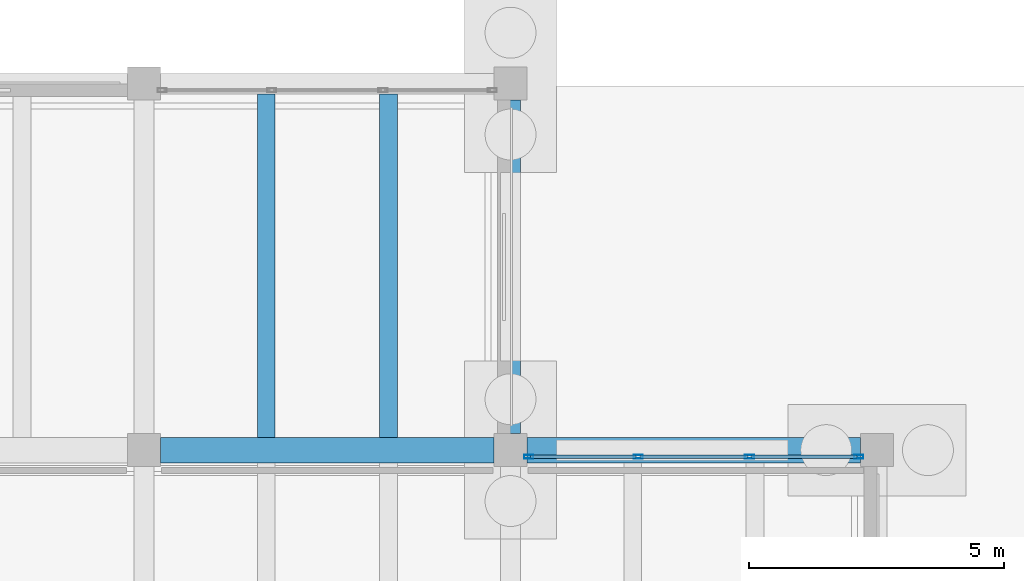
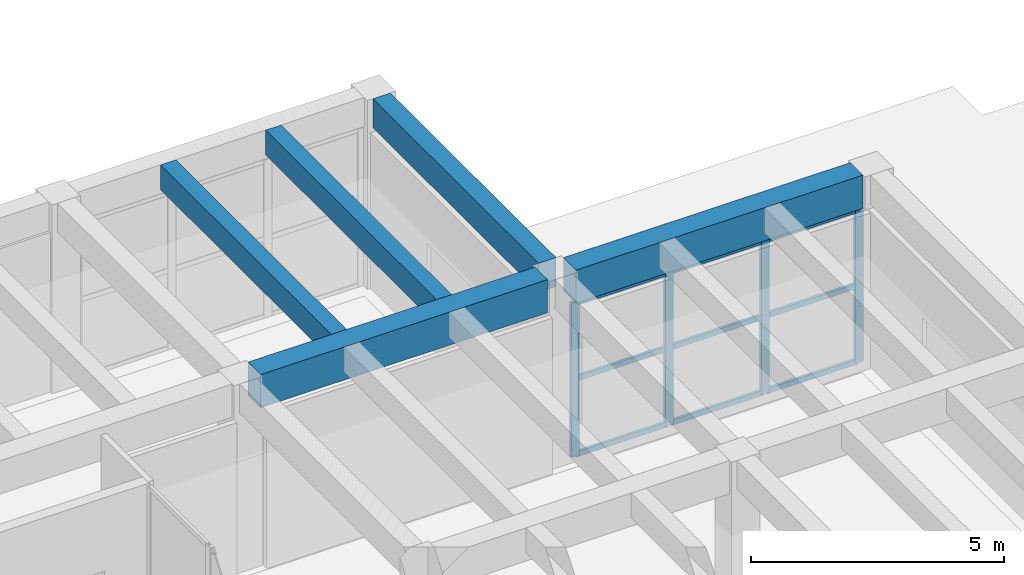
# One storey, part 82 of 155: 13 members, 5 beams, 1 element without a shape of its own.
"""IFC4 building model written with IfcOpenShell, lengths in metres."""

from ifc_helpers import new_model, si_unit, direction, frame, origin, origin_2d, place, context, subcontext, project, spatial, rectangle, hollow_rectangle, extrude, material, material_profile, profile_set, type_object, element, aggregate, save


model = new_model("IFC4")

# Units and contexts
model_context = context("Model", 3, precision=1e-05, world=origin(), true_north=direction((0.0, 1.0)))
body_context = subcontext(model_context, "Body", "Model", "MODEL_VIEW")
ifc_project = project(units=[si_unit("LENGTHUNIT", "METRE"), si_unit("AREAUNIT", "SQUARE_METRE"), si_unit("VOLUMEUNIT", "CUBIC_METRE"), si_unit("PLANEANGLEUNIT", "RADIAN"), si_unit("MASSUNIT", "GRAM", prefix="KILO")], contexts=[model_context])

# Site, building, storey
site_placement = place(None, origin())
site = spatial("IfcSite", under=ifc_project, at=site_placement, CompositionType="ELEMENT")
building_placement = place(site_placement, origin())
building = spatial("IfcBuilding", under=site, at=building_placement, Name="Bramvelor Terrace Health Centre", CompositionType="ELEMENT")
storey_placement = place(building_placement, origin())
storey = spatial("IfcBuildingStorey", under=building, at=storey_placement, Name="L01", CompositionType="ELEMENT", Elevation=0.0)

# Beams
ifc_material_1 = material(Name="Concrete C40/50", Category="concrete")
ifc_material_profile_1 = material_profile(ifc_material_1, rectangle(XDim=0.39990234375, YDim=0.699951171875, at=origin_2d()), Name="RC 400x700")
ifc_profile_set_1 = profile_set([ifc_material_profile_1], Name="Concrete C40/50")
beam_type_1 = type_object("IfcBeamType", Name="BM-RC-G700", PredefinedType="BEAM", material=ifc_profile_set_1)
beam_placement = place(storey_placement, frame((36.0, 108.324951171875, 4.2099609375), z_axis=(0.0, 1.0, 0.0), x_axis=(-1.0, 0.0, 0.0)))
element("IfcBeam", 1, at=beam_placement, inside=storey, type_object=beam_type_1, Name="L01 Floor Girder", PredefinedType="BEAM", context=body_context, shape_type="SweptSolid", body=[
    extrude(rectangle(XDim=0.39990234375, YDim=0.699951171875, at=origin_2d()), origin(), (0.0, 0.0, 1.0), 6.550048828125),
])
ifc_material_2 = material(Name="Concrete C40/50", Category="concrete")
ifc_material_profile_2 = material_profile(ifc_material_2, rectangle(XDim=0.5, YDim=0.800048828125, at=origin_2d()), Name="RC 500x800")
ifc_profile_set_2 = profile_set([ifc_material_profile_2], Name="Concrete C40/50")
beam_type_2 = type_object("IfcBeamType", Name="BM-RC-G800", PredefinedType="BEAM", material=ifc_profile_set_2)
for number, where, z_axis, x_axis, name in (
    (2, (29.125, 108.0, 4.159912109375), (1.0, 0.0, 0.0), (0.0, 1.0, 0.0), "L01 Floor Girder"),
    (3, (36.324951171875, 108.0, 4.159912109375), (1.0, 0.0, 0.0), (0.0, 1.0, 0.0), "L01 Floor Girder"),
):
    element("IfcBeam", number, at=place(storey_placement, frame(where, z_axis=z_axis, x_axis=x_axis)), inside=storey, type_object=beam_type_2, Name=name, PredefinedType="BEAM", context=body_context, shape_type="SweptSolid", body=[
        extrude(rectangle(XDim=0.5, YDim=0.800048828125, at=origin_2d()), origin(), (0.0, 0.0, 1.0), 6.550048828125),
    ])
ifc_material_3 = material(Name="Concrete C40/50", Category="concrete")
ifc_material_profile_3 = material_profile(ifc_material_3, rectangle(XDim=0.35009765625, YDim=0.60009765625, at=origin_2d()), Name="RC 350x600")
ifc_profile_set_3 = profile_set([ifc_material_profile_3], Name="Concrete C40/50")
beam_type_3 = type_object("IfcBeamType", Name="BM-RC-J600", PredefinedType="JOIST", material=ifc_profile_set_3)
for number, where, z_axis, x_axis, name in (
    (4, (31.199951171875, 108.25, 4.260009765625), (0.0, 1.0, 0.0), (-1.0, 0.0, 0.0), "L01 Secondary Floor Joist"),
    (5, (33.60009765625, 108.25, 4.260009765625), (0.0, 1.0, 0.0), (-1.0, 0.0, 0.0), "L01 Secondary Floor Joist"),
):
    element("IfcBeam", number, at=place(storey_placement, frame(where, z_axis=z_axis, x_axis=x_axis)), inside=storey, type_object=beam_type_3, Name=name, PredefinedType="JOIST", context=body_context, shape_type="SweptSolid", body=[
        extrude(rectangle(XDim=0.35009765625, YDim=0.60009765625, at=origin_2d()), origin(), (0.0, 0.0, 1.0), 6.75),
    ])

# Curtain wall, members
ifc_material_4 = material(Name="Anodized aluminium and double low-E glass", Category="aluminium")
curtain_wall_type = type_object("IfcCurtainWallType", Name="CW-SYS-02", PredefinedType="NOTDEFINED", material=ifc_material_4)
curtain_wall_placement = place(storey_placement, origin())
curtain_wall = element("IfcCurtainWall", 6, at=curtain_wall_placement, inside=storey, type_object=curtain_wall_type, Name="L01 Unitized Curtain Wall 21", PredefinedType="NOTDEFINED")
ifc_material_5 = material(Name="Anodized aluminium 6063-T6", Category="aluminium")
ifc_material_profile_4 = material_profile(ifc_material_5, hollow_rectangle(XDim=0.074951171875, YDim=0.179931640625, WallThickness=0.00341796875, at=origin_2d()), Name="ALU-MUL 75x180x3.5")
ifc_profile_set_4 = profile_set([ifc_material_profile_4], Name="Anodized aluminium 6063-T6")
member_type_1 = type_object("IfcMemberType", Name="CW-MUL-65x180", PredefinedType="MULLION", material=ifc_profile_set_4)
member_1_placement = place(storey_placement, frame((36.357421875, 107.8701171875, 0.0), z_axis=(0.0, 0.0, 1.0), x_axis=(0.0, 1.0, 0.0)))
member_1 = element("IfcMember", 7, at=member_1_placement, type_object=member_type_1, Name="CW-02 mullion 1", PredefinedType="MULLION", context=body_context, shape_type="SweptSolid", body=[
    extrude(hollow_rectangle(XDim=0.074951171875, YDim=0.179931640625, WallThickness=0.00341796875, at=origin_2d()), origin(), (0.0, 0.0, 1.0), 3.719970703125),
])
member_2_placement = place(storey_placement, frame((38.506591796875, 107.8701171875, 0.0), z_axis=(0.0, 0.0, 1.0), x_axis=(0.0, 1.0, 0.0)))
member_2 = element("IfcMember", 8, at=member_2_placement, type_object=member_type_1, Name="CW-02 mullion 2", PredefinedType="MULLION", context=body_context, shape_type="SweptSolid", body=[
    extrude(hollow_rectangle(XDim=0.074951171875, YDim=0.179931640625, WallThickness=0.00341796875, at=origin_2d()), origin(), (0.0, 0.0, 1.0), 3.719970703125),
])
member_3_placement = place(storey_placement, frame((40.693359375, 107.8701171875, 0.0), z_axis=(0.0, 0.0, 1.0), x_axis=(0.0, 1.0, 0.0)))
member_3 = element("IfcMember", 9, at=member_3_placement, type_object=member_type_1, Name="CW-02 mullion 3", PredefinedType="MULLION", context=body_context, shape_type="SweptSolid", body=[
    extrude(hollow_rectangle(XDim=0.074951171875, YDim=0.179931640625, WallThickness=0.00341796875, at=origin_2d()), origin(), (0.0, 0.0, 1.0), 3.719970703125),
])
member_4_placement = place(storey_placement, frame((42.842529296875, 107.8701171875, 0.0), z_axis=(0.0, 0.0, 1.0), x_axis=(0.0, 1.0, 0.0)))
member_4 = element("IfcMember", 10, at=member_4_placement, type_object=member_type_1, Name="CW-02 mullion 4", PredefinedType="MULLION", context=body_context, shape_type="SweptSolid", body=[
    extrude(hollow_rectangle(XDim=0.074951171875, YDim=0.179931640625, WallThickness=0.00341796875, at=origin_2d()), origin(), (0.0, 0.0, 1.0), 3.719970703125),
])
ifc_material_6 = material(Name="Anodized aluminium 6063-T6", Category="aluminium")
ifc_material_profile_5 = material_profile(ifc_material_6, hollow_rectangle(XDim=0.06494140625, YDim=0.1201171875, WallThickness=0.0029296875, at=origin_2d()), Name="ALU-TRN 65x120x3.0")
ifc_profile_set_5 = profile_set([ifc_material_profile_5], Name="Anodized aluminium 6063-T6")
member_type_2 = type_object("IfcMemberType", Name="CW-TRN-65x150", PredefinedType="USERDEFINED", material=ifc_profile_set_5)
member_5_placement = place(storey_placement, frame((36.39501953125, 107.8701171875, 0.032470703125), z_axis=(1.0, 0.0, 0.0), x_axis=(0.0, 1.0, 0.0)))
member_5 = element("IfcMember", 11, at=member_5_placement, type_object=member_type_2, Name="CW-02 transom 1.1", ObjectType="TRANSOM", PredefinedType="USERDEFINED", context=body_context, shape_type="SweptSolid", body=[
    extrude(hollow_rectangle(XDim=0.06494140625, YDim=0.1201171875, WallThickness=0.0029296875, at=origin_2d()), origin(), (0.0, 0.0, 1.0), 2.07421875),
])
member_6_placement = place(storey_placement, frame((36.39501953125, 107.8701171875, 1.860107421875), z_axis=(1.0, 0.0, 0.0), x_axis=(0.0, 1.0, 0.0)))
member_6 = element("IfcMember", 12, at=member_6_placement, type_object=member_type_2, Name="CW-02 transom 1.2", ObjectType="TRANSOM", PredefinedType="USERDEFINED", context=body_context, shape_type="SweptSolid", body=[
    extrude(hollow_rectangle(XDim=0.06494140625, YDim=0.1201171875, WallThickness=0.0029296875, at=origin_2d()), origin(), (0.0, 0.0, 1.0), 2.07421875),
])
member_7_placement = place(storey_placement, frame((36.39501953125, 107.8701171875, 3.6875), z_axis=(1.0, 0.0, 0.0), x_axis=(0.0, 1.0, 0.0)))
member_7 = element("IfcMember", 13, at=member_7_placement, type_object=member_type_2, Name="CW-02 transom 1.3", ObjectType="TRANSOM", PredefinedType="USERDEFINED", context=body_context, shape_type="SweptSolid", body=[
    extrude(hollow_rectangle(XDim=0.06494140625, YDim=0.1201171875, WallThickness=0.0029296875, at=origin_2d()), origin(), (0.0, 0.0, 1.0), 2.07421875),
])
member_8_placement = place(storey_placement, frame((38.544189453125, 107.8701171875, 0.032470703125), z_axis=(1.0, 0.0, 0.0), x_axis=(0.0, 1.0, 0.0)))
member_8 = element("IfcMember", 14, at=member_8_placement, type_object=member_type_2, Name="CW-02 transom 2.1", ObjectType="TRANSOM", PredefinedType="USERDEFINED", context=body_context, shape_type="SweptSolid", body=[
    extrude(hollow_rectangle(XDim=0.06494140625, YDim=0.1201171875, WallThickness=0.0029296875, at=origin_2d()), origin(), (0.0, 0.0, 1.0), 2.111572265625),
])
member_9_placement = place(storey_placement, frame((38.544189453125, 107.8701171875, 1.860107421875), z_axis=(1.0, 0.0, 0.0), x_axis=(0.0, 1.0, 0.0)))
member_9 = element("IfcMember", 15, at=member_9_placement, type_object=member_type_2, Name="CW-02 transom 2.2", ObjectType="TRANSOM", PredefinedType="USERDEFINED", context=body_context, shape_type="SweptSolid", body=[
    extrude(hollow_rectangle(XDim=0.06494140625, YDim=0.1201171875, WallThickness=0.0029296875, at=origin_2d()), origin(), (0.0, 0.0, 1.0), 2.111572265625),
])
member_10_placement = place(storey_placement, frame((38.544189453125, 107.8701171875, 3.6875), z_axis=(1.0, 0.0, 0.0), x_axis=(0.0, 1.0, 0.0)))
member_10 = element("IfcMember", 16, at=member_10_placement, type_object=member_type_2, Name="CW-02 transom 2.3", ObjectType="TRANSOM", PredefinedType="USERDEFINED", context=body_context, shape_type="SweptSolid", body=[
    extrude(hollow_rectangle(XDim=0.06494140625, YDim=0.1201171875, WallThickness=0.0029296875, at=origin_2d()), origin(), (0.0, 0.0, 1.0), 2.111572265625),
])
member_11_placement = place(storey_placement, frame((40.730712890625, 107.8701171875, 0.032470703125), z_axis=(1.0, 0.0, 0.0), x_axis=(0.0, 1.0, 0.0)))
member_11 = element("IfcMember", 17, at=member_11_placement, type_object=member_type_2, Name="CW-02 transom 3.1", ObjectType="TRANSOM", PredefinedType="USERDEFINED", context=body_context, shape_type="SweptSolid", body=[
    extrude(hollow_rectangle(XDim=0.06494140625, YDim=0.1201171875, WallThickness=0.0029296875, at=origin_2d()), origin(), (0.0, 0.0, 1.0), 2.07421875),
])
member_12_placement = place(storey_placement, frame((40.730712890625, 107.8701171875, 1.860107421875), z_axis=(1.0, 0.0, 0.0), x_axis=(0.0, 1.0, 0.0)))
member_12 = element("IfcMember", 18, at=member_12_placement, type_object=member_type_2, Name="CW-02 transom 3.2", ObjectType="TRANSOM", PredefinedType="USERDEFINED", context=body_context, shape_type="SweptSolid", body=[
    extrude(hollow_rectangle(XDim=0.06494140625, YDim=0.1201171875, WallThickness=0.0029296875, at=origin_2d()), origin(), (0.0, 0.0, 1.0), 2.07421875),
])
member_13_placement = place(storey_placement, frame((40.730712890625, 107.8701171875, 3.6875), z_axis=(1.0, 0.0, 0.0), x_axis=(0.0, 1.0, 0.0)))
member_13 = element("IfcMember", 19, at=member_13_placement, type_object=member_type_2, Name="CW-02 transom 3.3", ObjectType="TRANSOM", PredefinedType="USERDEFINED", context=body_context, shape_type="SweptSolid", body=[
    extrude(hollow_rectangle(XDim=0.06494140625, YDim=0.1201171875, WallThickness=0.0029296875, at=origin_2d()), origin(), (0.0, 0.0, 1.0), 2.07421875),
])
aggregate(curtain_wall, [member_1, member_2, member_3, member_4, member_5, member_6, member_7, member_8, member_9, member_10, member_11, member_12, member_13])

save(model, "model.ifc")
